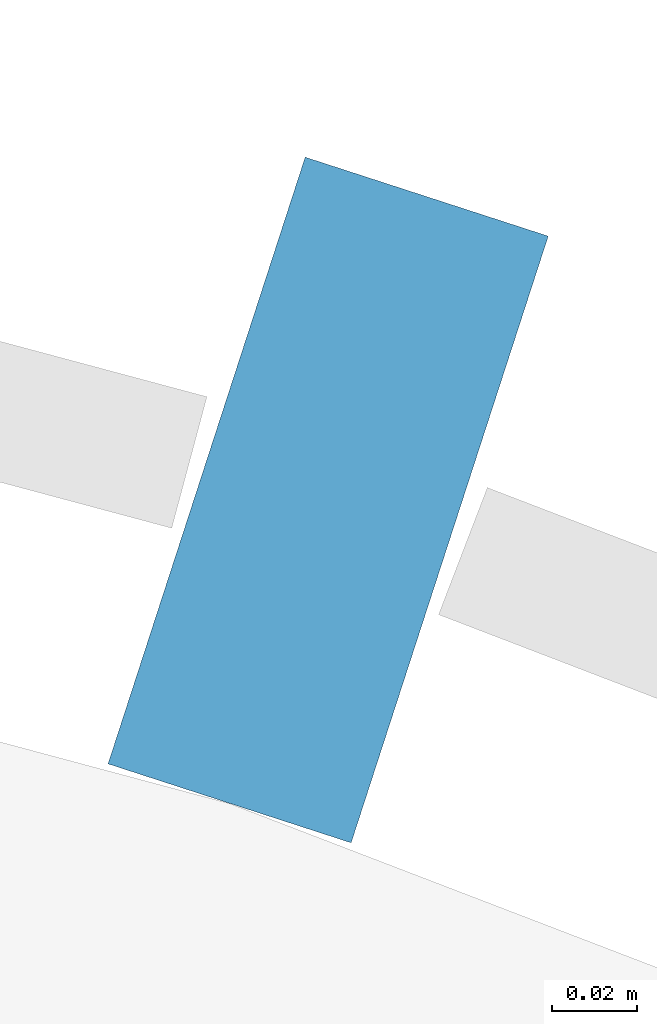
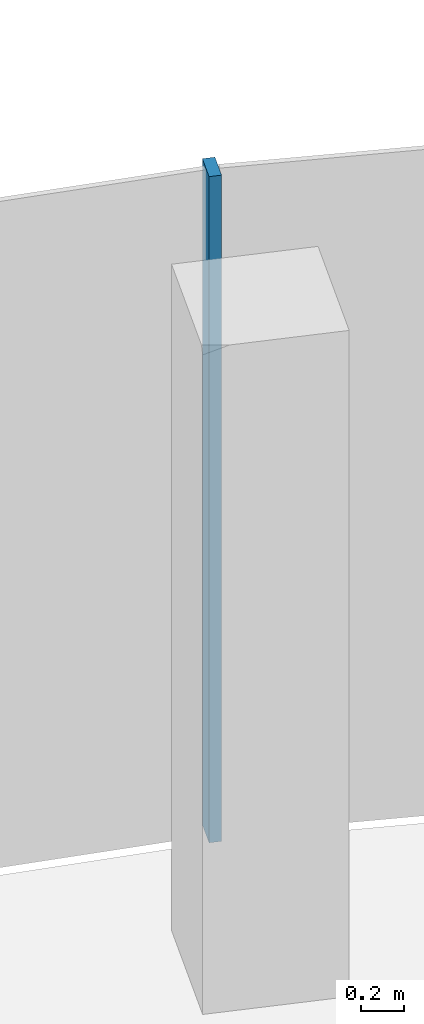
# One storey, part 10 of 18: 1 member, 1 element without a shape of its own.
"""IFC4 building model written with IfcOpenShell, lengths in metres."""

from ifc_helpers import new_model, si_unit, direction, frame, origin, origin_2d, place, context, subcontext, project, spatial, rectangle, extrude, material, layer, layer_set, material_profile, profile_set, type_object, element, aggregate, save


model = new_model("IFC4")

# Units and contexts
model_context = context("Model", 3, precision=1e-05, world=origin(), true_north=direction((0.0, 1.0)))
body_context = subcontext(model_context, "Body", "Model", "MODEL_VIEW")
ifc_project = project(units=[si_unit("LENGTHUNIT", "METRE"), si_unit("AREAUNIT", "SQUARE_METRE"), si_unit("VOLUMEUNIT", "CUBIC_METRE"), si_unit("PLANEANGLEUNIT", "RADIAN"), si_unit("MASSUNIT", "GRAM", prefix="KILO")], contexts=[model_context])

# Site, building, storey
site_placement = place(None, origin())
site = spatial("IfcSite", under=ifc_project, at=site_placement, CompositionType="ELEMENT")
building_placement = place(site_placement, origin())
building = spatial("IfcBuilding", under=site, at=building_placement, Name="Stone Belt Terrace Tower", CompositionType="ELEMENT")
storey_placement = place(building_placement, frame((0.0, 0.0, 284.60009765625)))
storey = spatial("IfcBuildingStorey", under=building, at=storey_placement, Name="L69", CompositionType="ELEMENT", Elevation=284.60009765625)

# Curtain wall, member
ifc_material = material(Name="Aluminium 6063-T6 anodised frame", Category="aluminium")
ifc_layer = layer(ifc_material, 0.14990234375)
ifc_layer_set = layer_set([ifc_layer], Name="CW-A unitised convex-face curtain wall")
curtain_wall_type = type_object("IfcCurtainWallType", Name="CW-A unitised convex-face curtain wall", PredefinedType="NOTDEFINED", material=ifc_layer_set)
curtain_wall_placement = place(storey_placement, origin())
curtain_wall = element("IfcCurtainWall", 1, at=curtain_wall_placement, inside=storey, type_object=curtain_wall_type, Name="CW-A convex face L69", PredefinedType="NOTDEFINED")
ifc_material_profile = material_profile(ifc_material, rectangle(XDim=0.14990234375, YDim=0.06005859375, at=origin_2d()), Name="Aluminium 6063-T6 60x150")
ifc_profile_set = profile_set([ifc_material_profile], Name="Aluminium 6063-T6 anodised frame")
member_type = type_object("IfcMemberType", Name="CW-A mullion 60 x 150", PredefinedType="MULLION", material=ifc_profile_set)
member_placement = place(storey_placement, frame((20.57275390625, 63.316650390625, 0.0), z_axis=(0.0, 0.0, 1.0), x_axis=(-0.309016994375, -0.951056516295, 0.0)))
member = element("IfcMember", 2, at=member_placement, type_object=member_type, Name="CW-A mullion 5", PredefinedType="MULLION", context=body_context, shape_type="SweptSolid", body=[
    extrude(rectangle(XDim=0.14990234375, YDim=0.06005859375, at=origin_2d()), origin(), (0.0, 0.0, 1.0), 3.7998046875),
])
aggregate(curtain_wall, [member])

save(model, "model.ifc")
